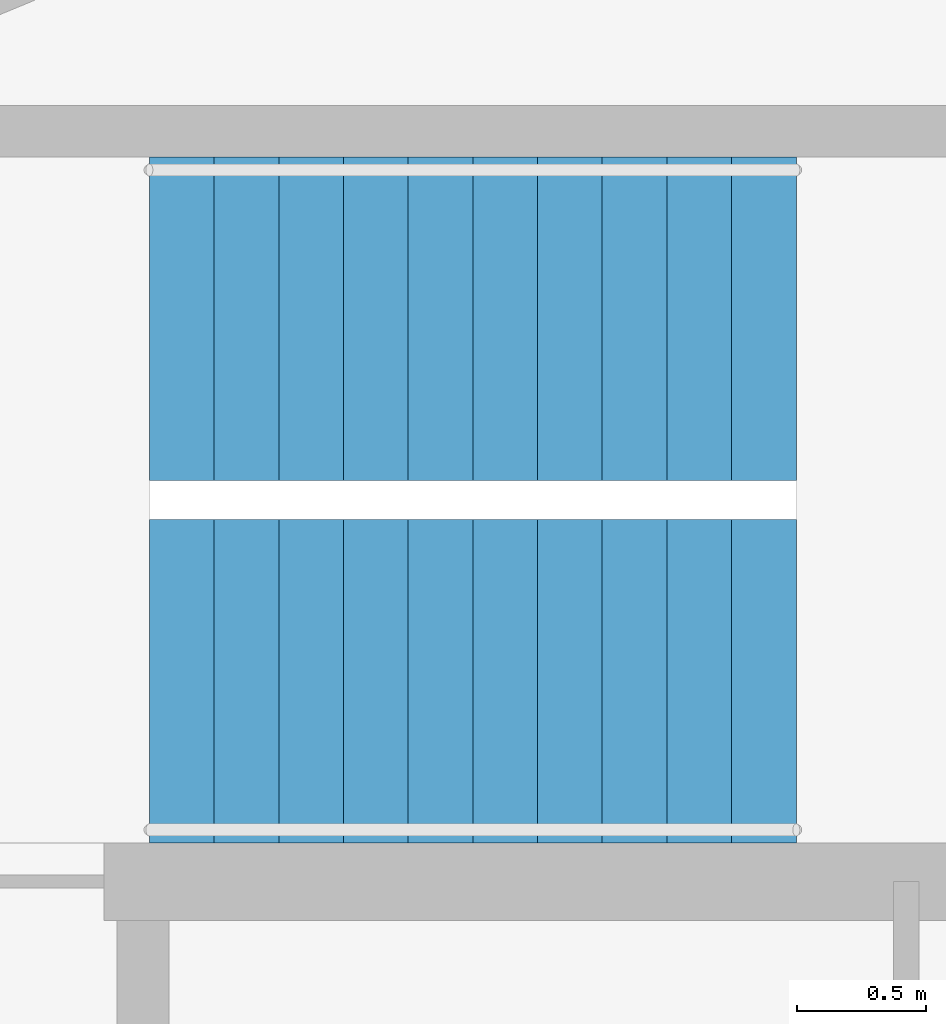
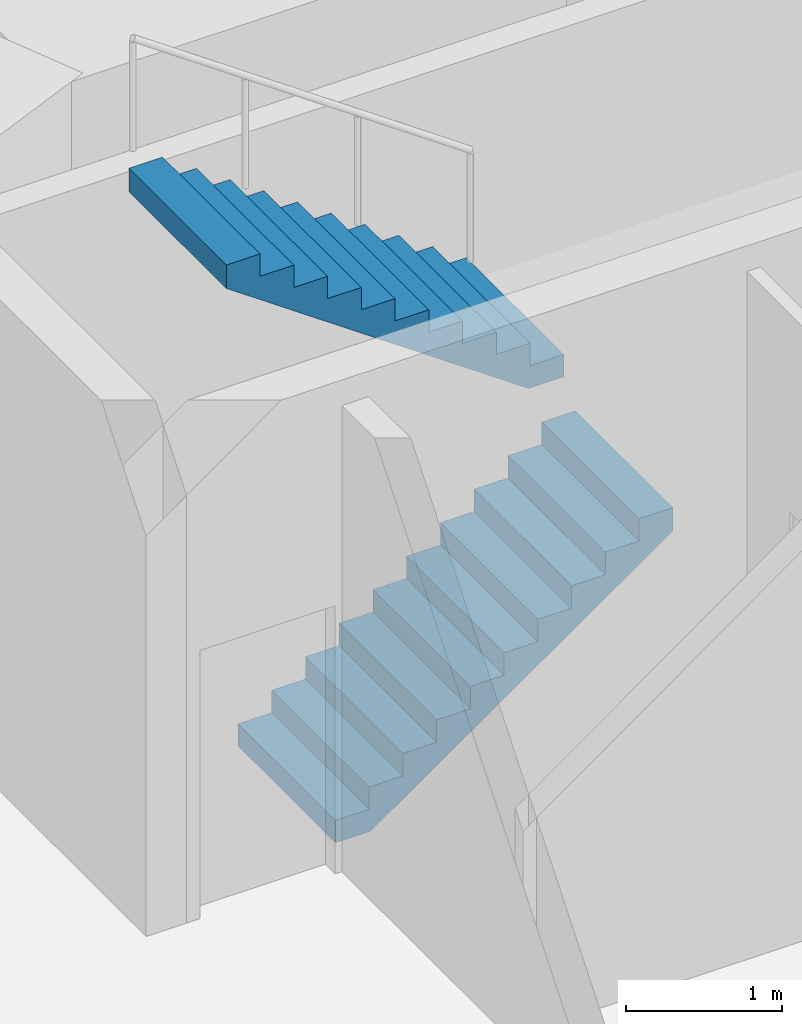
# One storey, part 11 of 13: 2 stair flights, 1 element without a shape of its own.
"""IFC4 building model written with IfcOpenShell, lengths in metres."""

from ifc_helpers import new_model, si_unit, direction, frame, origin, place, context, subcontext, project, spatial, polyline, outline, extrude, material, type_object, element, aggregate, save


model = new_model("IFC4")

# Units and contexts
model_context = context("Model", 3, precision=1e-05, world=origin(), true_north=direction((0.0, 1.0)))
body_context = subcontext(model_context, "Body", "Model", "MODEL_VIEW")
ifc_project = project(units=[si_unit("LENGTHUNIT", "METRE"), si_unit("AREAUNIT", "SQUARE_METRE"), si_unit("VOLUMEUNIT", "CUBIC_METRE"), si_unit("PLANEANGLEUNIT", "RADIAN"), si_unit("MASSUNIT", "GRAM", prefix="KILO")], contexts=[model_context])

# Site, building, storey
site_placement = place(None, origin())
site = spatial("IfcSite", under=ifc_project, at=site_placement, CompositionType="ELEMENT")
building_placement = place(site_placement, origin())
building = spatial("IfcBuilding", under=site, at=building_placement, Name="Nakasero Lantern House", CompositionType="ELEMENT")
storey_placement = place(building_placement, frame((0.0, 0.0, 157.199951171875)))
storey = spatial("IfcBuildingStorey", under=building, at=storey_placement, Name="L38", CompositionType="ELEMENT", Elevation=157.199951171875)

# Stair, stair flights
ifc_material_1 = material(Name="Concrete C40/50", Category="concrete")
stair_type = type_object("IfcStairType", Name="Escape stair ST1 22 risers", PredefinedType="HALF_TURN_STAIR", material=ifc_material_1)
stair_placement = place(storey_placement, origin())
stair = element("IfcStair", 1, at=stair_placement, inside=storey, type_object=stair_type, Name="Escape stair ST1 L38", PredefinedType="HALF_TURN_STAIR")
ifc_material_2 = material(Name="Concrete C40/50", Category="concrete")
stair_flight_type = type_object("IfcStairFlightType", Name="Escape stair flight", PredefinedType="STRAIGHT", material=ifc_material_2)
stair_flight_1_placement = place(storey_placement, frame((-1.875, 6.375, 0.0), z_axis=(0.0, 0.0, 1.0), x_axis=(1.0, 0.0, 0.0)))
stair_flight_1 = element("IfcStairFlight", 2, at=stair_flight_1_placement, type_object=stair_flight_type, Name="ST1 flight 1", NumberOfRisers=11, NumberOfTreads=10, PredefinedType="STRAIGHT", RiserHeight=0.175, TreadLength=0.25, context=body_context, shape_type="SweptSolid", body=[
    extrude(outline(polyline([(0.0, 0.0), (0.0, 0.175048828125), (0.25, 0.175048828125), (0.25, 0.35009765625), (0.5, 0.35009765625), (0.5, 0.52490234375), (0.75, 0.52490234375), (0.75, 0.699951171875), (1.0, 0.699951171875), (1.0, 0.875), (1.25, 0.875), (1.25, 1.050048828125), (1.5, 1.050048828125), (1.5, 1.22509765625), (1.75, 1.22509765625), (1.75, 1.39990234375), (2.0, 1.39990234375), (2.0, 1.574951171875), (2.25, 1.574951171875), (2.25, 1.75), (2.5, 1.75), (2.5, 1.925048828125), (2.5, 1.567138671875), (0.261474609375, 0.0), (0.0, 0.0)])), frame((0.0, 0.625, 0.0), z_axis=(0.0, -1.0, 0.0), x_axis=(1.0, 0.0, 0.0)), (0.0, 0.0, 1.0), 1.25),
])
stair_flight_2_placement = place(storey_placement, frame((0.625, 7.77490234375, 1.925048828125), z_axis=(0.0, 0.0, 1.0), x_axis=(-1.0, 0.0, 0.0)))
stair_flight_2 = element("IfcStairFlight", 3, at=stair_flight_2_placement, type_object=stair_flight_type, Name="ST1 flight 2", NumberOfRisers=11, NumberOfTreads=10, PredefinedType="STRAIGHT", RiserHeight=0.175, TreadLength=0.25, context=body_context, shape_type="SweptSolid", body=[
    extrude(outline(polyline([(0.0, 0.0), (0.0, 0.175048828125), (0.25, 0.175048828125), (0.25, 0.35009765625), (0.5, 0.35009765625), (0.5, 0.52490234375), (0.75, 0.52490234375), (0.75, 0.699951171875), (1.0, 0.699951171875), (1.0, 0.875), (1.25, 0.875), (1.25, 1.050048828125), (1.5, 1.050048828125), (1.5, 1.22509765625), (1.75, 1.22509765625), (1.75, 1.39990234375), (2.0, 1.39990234375), (2.0, 1.574951171875), (2.25, 1.574951171875), (2.25, 1.75), (2.5, 1.75), (2.5, 1.925048828125), (2.5, 1.567138671875), (0.261474609375, 0.0), (0.0, 0.0)])), frame((0.0, 0.625, 0.0), z_axis=(0.0, -1.0, 0.0), x_axis=(1.0, 0.0, 0.0)), (0.0, 0.0, 1.0), 1.25),
])
aggregate(stair, [stair_flight_1, stair_flight_2])

save(model, "model.ifc")
